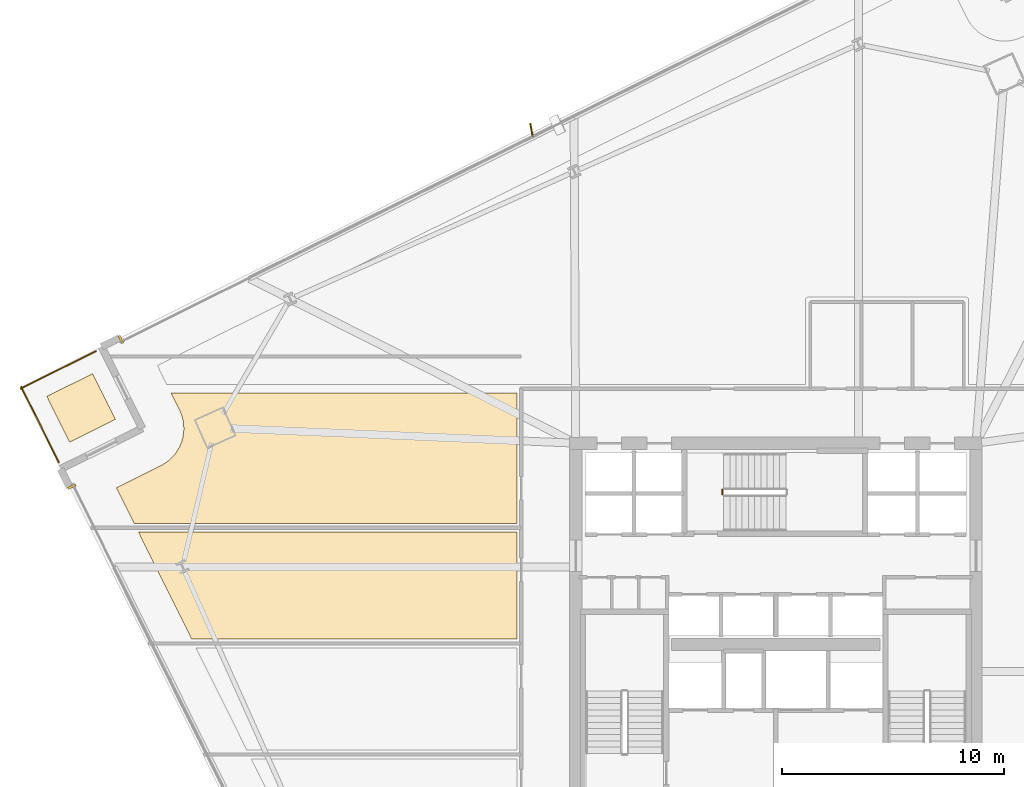
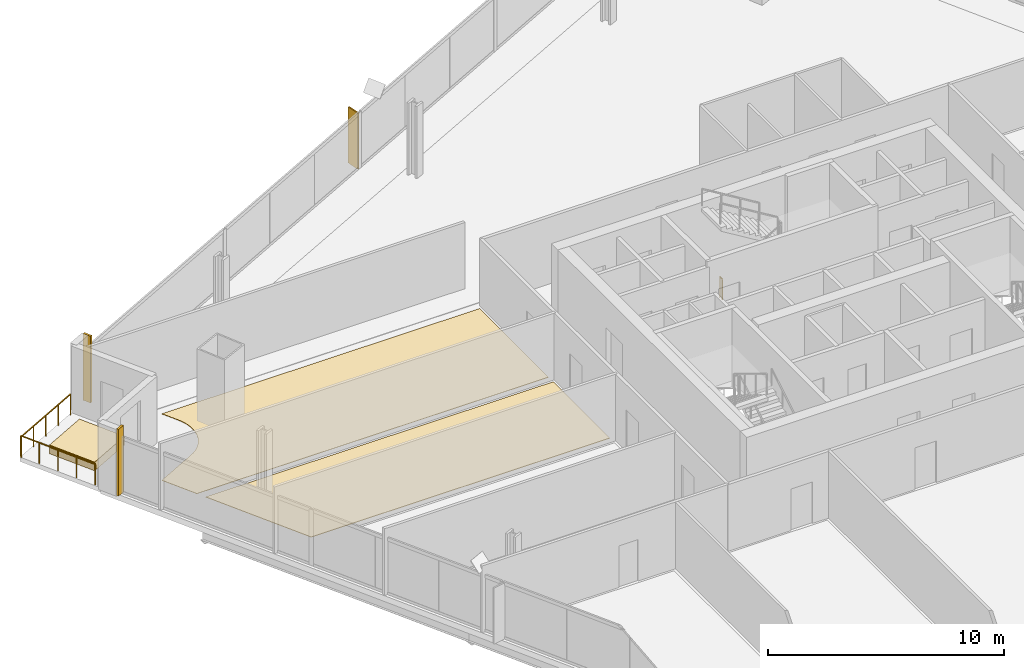
# One storey, part 32 of 35: 5 coverings, 3 railings, 1 shading device.
"""IFC4 building model written with IfcOpenShell, lengths in metres."""

from ifc_helpers import new_model, si_unit, direction, frame, origin, origin_2d, place, context, subcontext, project, spatial, polyline, rectangle, outline, extrude, source, transform, mapped, material, layer, layer_set, type_object, element, save


model = new_model("IFC4")

# Units and contexts
model_context = context("Model", 3, precision=1e-05, world=origin(), true_north=direction((0.0, 1.0)))
body_context = subcontext(model_context, "Body", "Model", "MODEL_VIEW")
ifc_project = project(units=[si_unit("LENGTHUNIT", "METRE"), si_unit("AREAUNIT", "SQUARE_METRE"), si_unit("VOLUMEUNIT", "CUBIC_METRE"), si_unit("PLANEANGLEUNIT", "RADIAN"), si_unit("MASSUNIT", "GRAM", prefix="KILO")], contexts=[model_context])

# Site, building, storey
site_placement = place(None, origin())
site = spatial("IfcSite", under=ifc_project, at=site_placement, CompositionType="ELEMENT")
building_placement = place(site_placement, origin())
building = spatial("IfcBuilding", under=site, at=building_placement, Name="Haldenkirk Collegiate Tower", CompositionType="ELEMENT")
storey_placement = place(building_placement, frame((0.0, 0.0, 116.699951171875)))
storey = spatial("IfcBuildingStorey", under=building, at=storey_placement, Name="L28", CompositionType="ELEMENT", Elevation=116.699951171875)

# Coverings
ifc_material_1 = material(Name="Polished collegiate terrazzo", Category="concrete")
ifc_layer_1 = layer(ifc_material_1, 0.02490234375)
ifc_layer_set_1 = layer_set([ifc_layer_1], Name="Polished collegiate terrazzo")
covering_type_1 = type_object("IfcCoveringType", Name="COV-FLOOR-TERRAZZO", PredefinedType="FLOORING", material=ifc_layer_set_1)
covering_1_placement = place(storey_placement, origin())
element("IfcCovering", 1, at=covering_1_placement, inside=storey, type_object=covering_type_1, Name="L28 academic room finish 08", PredefinedType="FLOORING", context=body_context, shape_type="SweptSolid", body=[
    extrude(outline(polyline([(7.338134765625, 30.0), (24.35009765625, 30.0), (24.35009765625, 25.199951171875), (9.72607421875, 25.199951171875), (7.338134765625, 30.0)])), origin(), (0.0, 0.0, 1.0), 0.025146484375),
])
ifc_material_2 = material(Name="Engineered collegiate oak acoustic flooring", Category="wood")
ifc_layer_2 = layer(ifc_material_2, 0.02197265625)
ifc_layer_set_2 = layer_set([ifc_layer_2], Name="Engineered collegiate oak acoustic flooring")
covering_type_2 = type_object("IfcCoveringType", Name="COV-FLOOR-TIMBER", PredefinedType="FLOORING", material=ifc_layer_set_2)
covering_2_placement = place(storey_placement, origin())
element("IfcCovering", 2, at=covering_2_placement, inside=storey, type_object=covering_type_2, Name="L28 academic room finish 09", PredefinedType="FLOORING", context=body_context, shape_type="SweptSolid", body=[
    extrude(outline(polyline([(8.34033203125, 32.991943359375), (8.345703125, 32.99462890625), (8.495361328125, 33.07861328125), (8.505615234375, 33.084716796875), (8.646484375, 33.18310546875), (8.65576171875, 33.190185546875), (8.7861328125, 33.3017578125), (8.794677734375, 33.309814453125), (8.913818359375, 33.43359375), (8.92138671875, 33.4423828125), (9.02783203125, 33.577392578125), (9.03466796875, 33.5869140625), (9.127197265625, 33.731689453125), (9.133056640625, 33.741943359375), (9.2109375, 33.89501953125), (9.2158203125, 33.90576171875), (9.2783203125, 34.065673828125), (9.281982421875, 34.076904296875), (9.32861328125, 34.2421875), (9.331298828125, 34.253662109375), (9.361328125, 34.422607421875), (9.36279296875, 34.434326171875), (9.37646484375, 34.60546875), (9.376708984375, 34.6171875), (9.373291015625, 34.7890625), (9.37255859375, 34.80078125), (9.352294921875, 34.97119140625), (9.350341796875, 34.98291015625), (9.3134765625, 35.150634765625), (9.310302734375, 35.162109375), (9.25732421875, 35.325439453125), (9.253173828125, 35.33642578125), (9.18408203125, 35.49365234375), (9.181640625, 35.4990234375), (8.80810546875, 36.25), (24.35009765625, 36.25), (24.35009765625, 30.39990234375), (7.13916015625, 30.39990234375), (6.343994140625, 31.99853515625), (8.34033203125, 32.991943359375)])), origin(), (0.0, 0.0, 1.0), 0.02197265625),
])
ifc_material_3 = material(Name="Precast concrete f'c 40 MPa", Category="concrete")
ifc_layer_3 = layer(ifc_material_3, 0.449951171875)
ifc_layer_set_3 = layer_set([ifc_layer_3], Name="Precast concrete f'c 40 MPa")
covering_type_3 = type_object("IfcCoveringType", Name="COV-PLANTER-450", PredefinedType="USERDEFINED", material=ifc_layer_set_3)
covering_3_placement = place(storey_placement, origin())
element("IfcCovering", 3, at=covering_3_placement, inside=storey, type_object=covering_type_3, Name="L28 planted garden planter bed", ObjectType="PLANTER", PredefinedType="USERDEFINED", context=body_context, shape_type="SweptSolid", body=[
    extrude(outline(polyline([(4.24169921875, 34.046630859375), (3.217041015625, 36.105712890625), (5.2763671875, 37.130126953125), (6.30078125, 35.071044921875), (4.24169921875, 34.046630859375)])), origin(), (0.0, 0.0, 1.0), 0.449951171875),
])

# Railings
ifc_material_4 = material(Name="Painted architectural tubular steel", Category="steel")
railing_type_1 = type_object("IfcRailingType", Name="RLG-STAIR-GUARD-1100", PredefinedType="BALUSTRADE", material=ifc_material_4)
railing_1_placement = place(storey_placement, frame((33.60009765625, 31.699951171875, 0.0)))
element("IfcRailing", 4, at=railing_1_placement, inside=storey, type_object=railing_type_1, Name="L28 ST-3 stair guard 4", PredefinedType="BALUSTRADE", context=body_context, shape_type="SweptSolid", body=[
    extrude(rectangle(XDim=0.048095703125, YDim=0.048095703125, at=origin_2d()), frame((0.0, 0.0, 1.076171875), z_axis=(0.0, 1.0, 0.0), x_axis=(-1.0, 0.0, 0.0)), (0.0, 0.0, 1.0), 0.199951171875),
    extrude(rectangle(XDim=0.0419921875, YDim=0.0419921875, at=origin_2d()), origin(), (0.0, 0.0, 1.0), 1.052001953125),
    extrude(rectangle(XDim=0.0419921875, YDim=0.0419921875, at=origin_2d()), frame((0.0, 0.199951171875, 0.0)), (0.0, 0.0, 1.0), 1.052001953125),
])
ifc_material_5 = material(Name="Anodised architectural bronze aluminium", Category="aluminium")
railing_type_2 = type_object("IfcRailingType", Name="RLG-TERR-BALUSTRADE-1100", PredefinedType="BALUSTRADE", material=ifc_material_5)
railing_2_placement = place(storey_placement, frame((5.42138671875, 38.140625, 0.0)))
element("IfcRailing", 5, at=railing_2_placement, inside=storey, type_object=railing_type_2, Name="L28 terrace guard balustrade 3-1", PredefinedType="BALUSTRADE", context=body_context, shape_type="SweptSolid", body=[
    extrude(rectangle(XDim=0.048095703125, YDim=0.048095703125, at=origin_2d()), frame((0.0, 0.0, 1.076171875), z_axis=(-0.895329605522, -0.44540419562, 0.0), x_axis=(0.44540419562, -0.895329605522, 0.0)), (0.0, 0.0, 1.0), 3.780029296875),
    extrude(rectangle(XDim=0.0419921875, YDim=0.0419921875, at=origin_2d()), origin(), (0.0, 0.0, 1.0), 1.052001953125),
    extrude(rectangle(XDim=0.0419921875, YDim=0.0419921875, at=origin_2d()), frame((-0.84619140625, -0.4208984375, 0.0)), (0.0, 0.0, 1.0), 1.052001953125),
    extrude(rectangle(XDim=0.0419921875, YDim=0.0419921875, at=origin_2d()), frame((-1.692138671875, -0.841796875, 0.0)), (0.0, 0.0, 1.0), 1.052001953125),
    extrude(rectangle(XDim=0.0419921875, YDim=0.0419921875, at=origin_2d()), frame((-2.5380859375, -1.2626953125, 0.0)), (0.0, 0.0, 1.0), 1.052001953125),
    extrude(rectangle(XDim=0.0419921875, YDim=0.0419921875, at=origin_2d()), frame((-3.38427734375, -1.68359375, 0.0)), (0.0, 0.0, 1.0), 1.052001953125),
])
railing_3_placement = place(storey_placement, frame((2.064208984375, 36.537353515625, 0.0)))
element("IfcRailing", 6, at=railing_3_placement, inside=storey, type_object=railing_type_2, Name="L28 terrace guard balustrade 4-1", PredefinedType="BALUSTRADE", context=body_context, shape_type="SweptSolid", body=[
    extrude(rectangle(XDim=0.048095703125, YDim=0.048095703125, at=origin_2d()), frame((0.0, 0.0, 1.076171875), z_axis=(0.44540419562, -0.895329605522, 0.0), x_axis=(0.895329605522, 0.44540419562, 0.0)), (0.0, 0.0, 1.0), 3.780029296875),
    extrude(rectangle(XDim=0.0419921875, YDim=0.0419921875, at=origin_2d()), origin(), (0.0, 0.0, 1.0), 1.052001953125),
    extrude(rectangle(XDim=0.0419921875, YDim=0.0419921875, at=origin_2d()), frame((0.4208984375, -0.84619140625, 0.0)), (0.0, 0.0, 1.0), 1.052001953125),
    extrude(rectangle(XDim=0.0419921875, YDim=0.0419921875, at=origin_2d()), frame((0.841796875, -1.692138671875, 0.0)), (0.0, 0.0, 1.0), 1.052001953125),
    extrude(rectangle(XDim=0.0419921875, YDim=0.0419921875, at=origin_2d()), frame((1.2626953125, -2.5380859375, 0.0)), (0.0, 0.0, 1.0), 1.052001953125),
    extrude(rectangle(XDim=0.0419921875, YDim=0.0419921875, at=origin_2d()), frame((1.68359375, -3.38427734375, 0.0)), (0.0, 0.0, 1.0), 1.052001953125),
])

# Coverings
ifc_layer_4 = layer(ifc_material_5, 0.06005859375)
ifc_layer_set_4 = layer_set([ifc_layer_4], Name="Anodised architectural bronze aluminium")
covering_type_4 = type_object("IfcCoveringType", Name="COV-CLAD-BRONZE-60", PredefinedType="CLADDING", material=ifc_layer_set_4)
shared_shape_1 = source(origin(), body_context, "Body", "SweptSolid", [
    extrude(rectangle(XDim=0.10009765625, YDim=0.3798828125, at=origin_2d()), origin(), (0.0, 0.0, 1.0), 3.449951171875),
])
for number, where, z_axis, x_axis, name in (
    (7, (6.553955078125, 38.670654296875, 0.0), (0.0, 0.0, 1.0), (0.895323401835, 0.445416665749, 0.0), "L28 recessed curtain-wall bronze jamb closure NJL"),
    (8, (4.33154296875, 32.04736328125, 0.0), (0.0, 0.0, 1.0), (-0.445416665749, 0.895323401835, 0.0), "L28 recessed curtain-wall bronze jamb closure WJR"),
):
    element("IfcCovering", number, at=place(storey_placement, frame(where, z_axis=z_axis, x_axis=x_axis)), inside=storey, type_object=covering_type_4, Name=name, PredefinedType="CLADDING", context=body_context, shape_type="MappedRepresentation", body=[
        mapped(shared_shape_1, transform((0.0, 0.0, 0.0), x_axis=(1.0, 0.0, 0.0), y_axis=(0.0, 1.0, 0.0), z_axis=(0.0, 0.0, 1.0), scale=1.0)),
    ])

# Shading device
ifc_layer_5 = layer(ifc_material_5, 0.06494140625)
ifc_layer_set_5 = layer_set([ifc_layer_5], Name="Anodised architectural bronze aluminium")
shading_device_type = type_object("IfcShadingDeviceType", Name="SHD-FIN-BRONZE-620", PredefinedType="USERDEFINED", material=ifc_layer_set_5)
shared_shape_2 = source(origin(), body_context, "Body", "SweptSolid", [
    extrude(rectangle(XDim=0.6201171875, YDim=0.06494140625, at=origin_2d()), origin(), (0.0, 0.0, 1.0), 2.90087890625),
])
shading_device_placement = place(storey_placement, frame((25.013916015625, 48.0830078125, 0.0), z_axis=(0.0, 0.0, 1.0), x_axis=(-0.181377404435, 0.983413563645, 0.0)))
element("IfcShadingDevice", 9, at=shading_device_placement, inside=storey, type_object=shading_device_type, Name="L28 folded bronze solar fin 1", ObjectType="FIN", PredefinedType="USERDEFINED", context=body_context, shape_type="MappedRepresentation", body=[
    mapped(shared_shape_2, transform((0.0, 0.0, 0.0), x_axis=(1.0, 0.0, 0.0), y_axis=(0.0, 1.0, 0.0), z_axis=(0.0, 0.0, 1.0), scale=1.0)),
])

save(model, "model.ifc")
